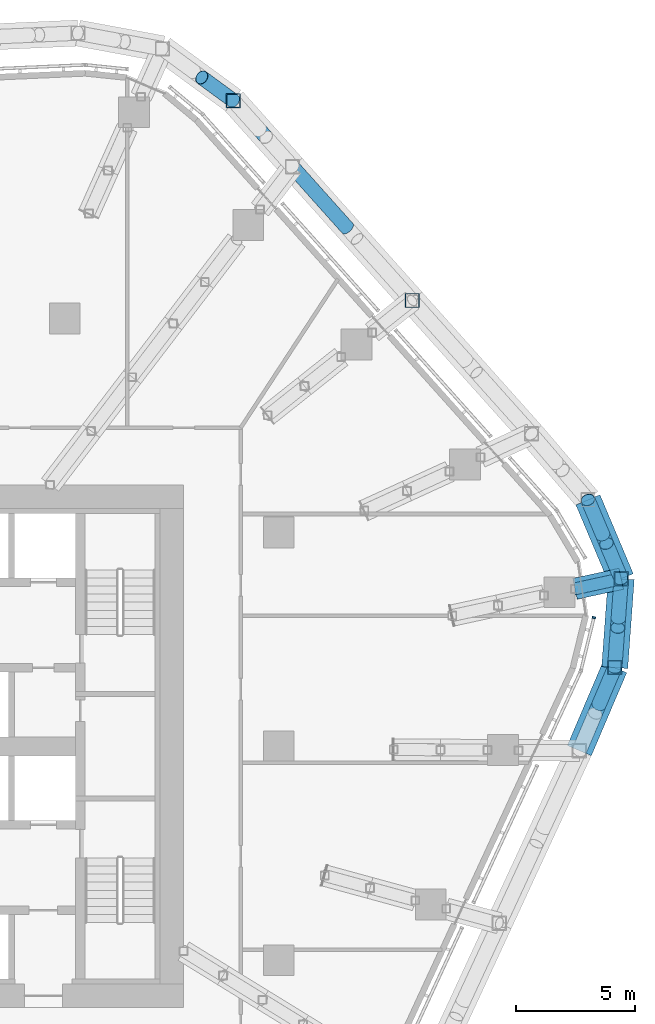
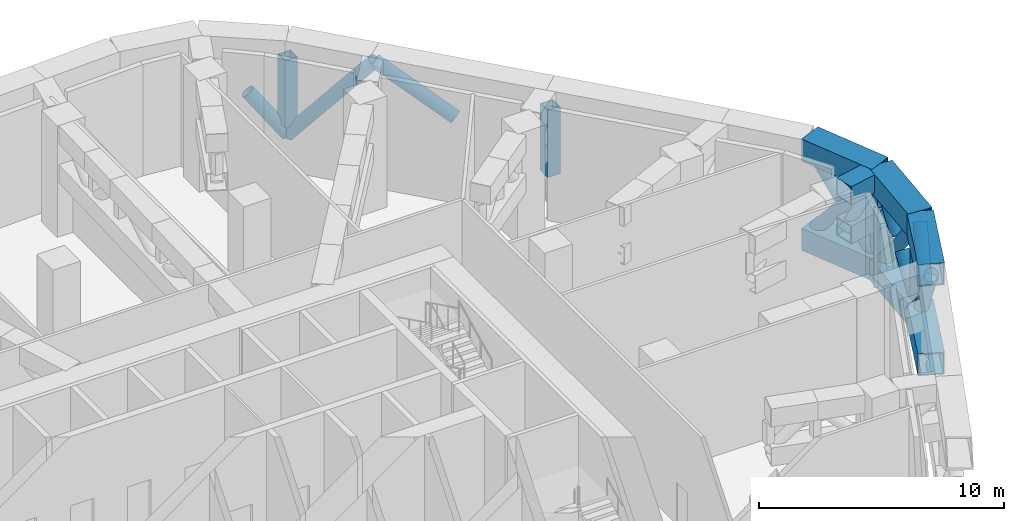
# One storey, part 14 of 30: 25 members, 1 element without a shape of its own.
"""IFC4 building model written with IfcOpenShell, lengths in metres."""

from ifc_helpers import new_model, si_unit, direction, frame, origin, origin_2d, place, context, subcontext, project, spatial, rectangle, hollow_rectangle, hollow_circle, extrude, material, layer, layer_set, material_profile, profile_set, type_object, element, aggregate, save


model = new_model("IFC4")

# Units and contexts
model_context = context("Model", 3, precision=1e-05, world=origin(), true_north=direction((0.0, 1.0)))
body_context = subcontext(model_context, "Body", "Model", "MODEL_VIEW")
ifc_project = project(units=[si_unit("LENGTHUNIT", "METRE"), si_unit("AREAUNIT", "SQUARE_METRE"), si_unit("VOLUMEUNIT", "CUBIC_METRE"), si_unit("PLANEANGLEUNIT", "RADIAN"), si_unit("MASSUNIT", "GRAM", prefix="KILO")], contexts=[model_context])

# Site, building, storey
site_placement = place(None, origin())
site = spatial("IfcSite", under=ifc_project, at=site_placement, CompositionType="ELEMENT")
building_placement = place(site_placement, origin())
building = spatial("IfcBuilding", under=site, at=building_placement, Name="Dongbaek Canopy Tower", CompositionType="ELEMENT")
storey_placement = place(building_placement, frame((0.0, 0.0, 145.60009765625)))
storey = spatial("IfcBuildingStorey", under=building, at=storey_placement, Name="L32", CompositionType="ELEMENT", Elevation=145.60009765625)

# Members
ifc_material_1 = material(Name="Steel S355", Category="steel")
ifc_material_profile_1 = material_profile(ifc_material_1, hollow_circle(Radius=0.304931640625, WallThickness=0.01611328125, at=origin_2d()), Name="BELT BRACE CHS 610.0x16.0 Steel S355")
ifc_profile_set_1 = profile_set([ifc_material_profile_1], Name="Steel S355")
member_type_1 = type_object("IfcMemberType", Name="BELT BRACE CHS 610.0x16.0 Steel S355", PredefinedType="BRACE", material=ifc_profile_set_1)
member_1_placement = place(storey_placement, frame((16.090576171875, 27.162353515625, 0.5498046875), z_axis=(-0.51530976247, 0.377427282441, 0.769418283622), x_axis=(-0.590888586046, -0.806753170976, 0.0)))
element("IfcMember", 1, at=member_1_placement, inside=storey, type_object=member_type_1, Name="BELT:L32:17:D0:1", PredefinedType="BRACE", context=body_context, shape_type="SweptSolid", body=[
    extrude(hollow_circle(Radius=0.304931640625, WallThickness=0.01611328125, at=origin_2d()), origin(), (0.0, 0.0, 1.0), 2.58154296875),
])
member_2_placement = place(storey_placement, frame((16.090576171875, 27.162353515625, 0.5498046875), z_axis=(0.428596612816, -0.479108734456, 0.766002456948), x_axis=(0.745302860329, 0.666726065476, 0.0)))
element("IfcMember", 2, at=member_2_placement, inside=storey, type_object=member_type_1, Name="BELT:L32:17:D1:0", PredefinedType="BRACE", context=body_context, shape_type="SweptSolid", body=[
    extrude(hollow_circle(Radius=0.304931640625, WallThickness=0.01611328125, at=origin_2d()), origin(), (0.0, 0.0, 1.0), 5.8095703125),
])
member_3_placement = place(storey_placement, frame((18.58056640625, 24.37890625, 5.0), z_axis=(0.574357101591, -0.642088748412, -0.507775500606), x_axis=(0.745323999067, 0.666702434685, 0.0)))
element("IfcMember", 3, at=member_3_placement, inside=storey, type_object=member_type_1, Name="BELT:L32:18:D0:2", PredefinedType="BRACE", context=body_context, shape_type="SweptSolid", body=[
    extrude(hollow_circle(Radius=0.304931640625, WallThickness=0.01611328125, at=origin_2d()), origin(), (0.0, 0.0, 1.0), 4.033447265625),
])
member_4_placement = place(storey_placement, frame((31.007568359375, 10.367919921875, 0.5498046875), z_axis=(0.244739072015, -0.579896463441, 0.77706040841), x_axis=(0.921309955214, 0.388828968087, 0.0)))
element("IfcMember", 4, at=member_4_placement, inside=storey, type_object=member_type_1, Name="BELT:L32:20:D1:0", PredefinedType="BRACE", context=body_context, shape_type="SweptSolid", body=[
    extrude(hollow_circle(Radius=0.304931640625, WallThickness=0.01611328125, at=origin_2d()), origin(), (0.0, 0.0, 1.0), 5.72705078125),
])
for number, where, z_axis, x_axis, name in (
    (5, (32.4091796875, 7.046875, 0.5498046875), (-0.244735984204, 0.579884597442, 0.777070236005), (-0.921308862379, -0.388831557493, 0.0), "BELT:L32:20:D1:1"),
    (6, (31.007568359375, 10.367919921875, 5.0), (0.244735984204, -0.579884597442, -0.777070236005), (0.921308862379, 0.388831557493, 0.0), "BELT:L32:20:D1:2"),
):
    element("IfcMember", number, at=place(storey_placement, frame(where, z_axis=z_axis, x_axis=x_axis)), inside=storey, type_object=member_type_1, Name=name, PredefinedType="BRACE", context=body_context, shape_type="SweptSolid", body=[
        extrude(hollow_circle(Radius=0.304931640625, WallThickness=0.01611328125, at=origin_2d()), origin(), (0.0, 0.0, 1.0), 2.5517578125),
    ])
member_5_placement = place(storey_placement, frame((32.4091796875, 7.046875, 0.5498046875), z_axis=(-0.047049874718, -0.642245479876, 0.765053627446), x_axis=(0.997327356436, -0.07306260401, 0.0)))
element("IfcMember", 7, at=member_5_placement, inside=storey, type_object=member_type_1, Name="BELT:L32:21:D0:0", PredefinedType="BRACE", context=body_context, shape_type="SweptSolid", body=[
    extrude(hollow_circle(Radius=0.304931640625, WallThickness=0.01611328125, at=origin_2d()), origin(), (0.0, 0.0, 1.0), 5.81689453125),
])
for number, where, z_axis, x_axis, name in (
    (8, (32.135498046875, 3.31103515625, 0.5498046875), (0.047063460456, 0.642261235803, 0.765039564777), (-0.997325949617, 0.073081804996, 0.0), "BELT:L32:21:D0:1"),
    (9, (32.4091796875, 7.046875, 5.0), (-0.047063460456, -0.642261235803, -0.765039564777), (0.997325949617, -0.073081804996, 0.0), "BELT:L32:21:D0:2"),
):
    element("IfcMember", number, at=place(storey_placement, frame(where, z_axis=z_axis, x_axis=x_axis)), inside=storey, type_object=member_type_1, Name=name, PredefinedType="BRACE", context=body_context, shape_type="SweptSolid", body=[
        extrude(hollow_circle(Radius=0.304931640625, WallThickness=0.01611328125, at=origin_2d()), origin(), (0.0, 0.0, 1.0), 2.598876953125),
    ])
member_6_placement = place(storey_placement, frame((32.135498046875, 3.31103515625, 0.5498046875), z_axis=(-0.254510117447, -0.59734776254, 0.760526298497), x_axis=(0.919977210754, -0.391971850639, 0.0)))
element("IfcMember", 10, at=member_6_placement, inside=storey, type_object=member_type_1, Name="BELT:L32:21:D1:0", PredefinedType="BRACE", context=body_context, shape_type="SweptSolid", body=[
    extrude(hollow_circle(Radius=0.304931640625, WallThickness=0.01611328125, at=origin_2d()), origin(), (0.0, 0.0, 1.0), 5.8515625),
])
member_7_placement = place(storey_placement, frame((32.135498046875, 3.31103515625, 5.0), z_axis=(-0.254502974163, -0.597354304826, -0.760523550358), x_axis=(0.91998272586, -0.391958906161, 0.0)))
element("IfcMember", 11, at=member_7_placement, inside=storey, type_object=member_type_1, Name="BELT:L32:21:D1:2", PredefinedType="BRACE", context=body_context, shape_type="SweptSolid", body=[
    extrude(hollow_circle(Radius=0.304931640625, WallThickness=0.01611328125, at=origin_2d()), origin(), (0.0, 0.0, 1.0), 2.616943359375),
])
ifc_material_2 = material(Name="Steel S355", Category="steel")
ifc_material_profile_2 = material_profile(ifc_material_2, hollow_rectangle(XDim=1.10009765625, YDim=1.10009765625, WallThickness=0.054931640625, at=origin_2d()), Name="BELT CHORD BOX 1100x1100x55 Steel S355")
ifc_profile_set_2 = profile_set([ifc_material_profile_2], Name="Steel S355")
member_type_2 = type_object("IfcMemberType", Name="BELT CHORD BOX 1100x1100x55 Steel S355", PredefinedType="CHORD", material=ifc_profile_set_2)
for number, where, z_axis, x_axis, name in (
    (12, (31.007568359375, 10.367919921875, 0.5498046875), (0.388828968087, -0.921309955214, 0.0), (0.921309955214, 0.388828968087, 0.0), "BELT:L32:20:CB1"),
    (13, (31.007568359375, 10.367919921875, 5.0), (0.388828968087, -0.921309955214, 0.0), (0.921309955214, 0.388828968087, 0.0), "BELT:L32:20:CT1"),
):
    element("IfcMember", number, at=place(storey_placement, frame(where, z_axis=z_axis, x_axis=x_axis)), inside=storey, type_object=member_type_2, Name=name, PredefinedType="CHORD", context=body_context, shape_type="SweptSolid", body=[
        extrude(hollow_rectangle(XDim=1.10009765625, YDim=1.10009765625, WallThickness=0.054931640625, at=origin_2d()), origin(), (0.0, 0.0, 1.0), 3.604736328125),
    ])
for number, where, z_axis, x_axis, name in (
    (14, (32.4091796875, 7.046875, 0.5498046875), (-0.07306260401, -0.997327356436, 0.0), (0.997327356436, -0.07306260401, 0.0), "BELT:L32:21:CB0"),
    (15, (32.4091796875, 7.046875, 5.0), (-0.07306260401, -0.997327356436, 0.0), (0.997327356436, -0.07306260401, 0.0), "BELT:L32:21:CT0"),
):
    element("IfcMember", number, at=place(storey_placement, frame(where, z_axis=z_axis, x_axis=x_axis)), inside=storey, type_object=member_type_2, Name=name, PredefinedType="CHORD", context=body_context, shape_type="SweptSolid", body=[
        extrude(hollow_rectangle(XDim=1.10009765625, YDim=1.10009765625, WallThickness=0.054931640625, at=origin_2d()), origin(), (0.0, 0.0, 1.0), 3.745849609375),
    ])
for number, where, z_axis, x_axis, name in (
    (16, (32.135498046875, 3.31103515625, 0.5498046875), (-0.391971850639, -0.919977210754, 0.0), (0.919977210754, -0.391971850639, 0.0), "BELT:L32:21:CB1"),
    (17, (32.135498046875, 3.31103515625, 5.0), (-0.391971850639, -0.919977210754, 0.0), (0.919977210754, -0.391971850639, 0.0), "BELT:L32:21:CT1"),
):
    element("IfcMember", number, at=place(storey_placement, frame(where, z_axis=z_axis, x_axis=x_axis)), inside=storey, type_object=member_type_2, Name=name, PredefinedType="CHORD", context=body_context, shape_type="SweptSolid", body=[
        extrude(hollow_rectangle(XDim=1.10009765625, YDim=1.10009765625, WallThickness=0.054931640625, at=origin_2d()), origin(), (0.0, 0.0, 1.0), 3.79931640625),
    ])
ifc_material_3 = material(Name="Steel S355", Category="steel")
ifc_material_profile_3 = material_profile(ifc_material_3, hollow_rectangle(XDim=0.60009765625, YDim=0.60009765625, WallThickness=0.031982421875, at=origin_2d()), Name="BELT POST BOX 600x600x32 Steel S355")
ifc_profile_set_3 = profile_set([ifc_material_profile_3], Name="Steel S355")
member_type_3 = type_object("IfcMemberType", Name="BELT POST BOX 600x600x32 Steel S355", PredefinedType="POST", material=ifc_profile_set_3)
for number, where, z_axis, x_axis, name in (
    (18, (16.090576171875, 27.162353515625, 1.099853515625), (0.0, 0.0, 1.0), (1.0, 0.0, 0.0), "BELT:L32:17:P1"),
    (19, (23.6142578125, 18.751708984375, 1.099853515625), (0.0, 0.0, 1.0), (1.0, 0.0, 0.0), "BELT:L32:19:P0"),
    (20, (32.4091796875, 7.046875, 1.099853515625), (0.0, 0.0, 1.0), (1.0, 0.0, 0.0), "BELT:L32:21:P0"),
    (21, (32.135498046875, 3.31103515625, 1.099853515625), (0.0, 0.0, 1.0), (1.0, 0.0, 0.0), "BELT:L32:21:P1"),
):
    element("IfcMember", number, at=place(storey_placement, frame(where, z_axis=z_axis, x_axis=x_axis)), inside=storey, type_object=member_type_3, Name=name, PredefinedType="POST", context=body_context, shape_type="SweptSolid", body=[
        extrude(hollow_rectangle(XDim=0.60009765625, YDim=0.60009765625, WallThickness=0.031982421875, at=origin_2d()), origin(), (0.0, 0.0, 1.0), 3.35009765625),
    ])
ifc_material_4 = material(Name="Steel S355", Category="steel")
ifc_material_profile_4 = material_profile(ifc_material_4, hollow_circle(Radius=0.25390625, WallThickness=0.01611328125, at=origin_2d()), Name="BRACE CHS 508.0x16.0 Steel S355")
ifc_profile_set_4 = profile_set([ifc_material_profile_4], Name="Steel S355")
member_type_4 = type_object("IfcMemberType", Name="BRACE CHS 508.0x16.0 Steel S355", PredefinedType="BRACE", material=ifc_profile_set_4)
member_8_placement = place(storey_placement, frame((30.4609375, 6.623291015625, 3.14990234375), z_axis=(0.698596278154, 0.151887787293, 0.699209081907), x_axis=(-0.212455063097, 0.977170837758, 0.0)))
element("IfcMember", 22, at=member_8_placement, inside=storey, type_object=member_type_4, Name="TRUSS:L32:21x:D0", PredefinedType="BRACE", context=body_context, shape_type="SweptSolid", body=[
    extrude(hollow_circle(Radius=0.25390625, WallThickness=0.01611328125, at=origin_2d()), origin(), (0.0, 0.0, 1.0), 2.788818359375),
])
ifc_material_5 = material(Name="Steel S355", Category="steel")
ifc_material_profile_5 = material_profile(ifc_material_5, hollow_rectangle(XDim=0.89990234375, YDim=0.89990234375, WallThickness=0.044921875, at=origin_2d()), Name="CHORD BOX 900x900x45 Steel S355")
ifc_profile_set_5 = profile_set([ifc_material_profile_5], Name="Steel S355")
member_type_5 = type_object("IfcMemberType", Name="CHORD BOX 900x900x45 Steel S355", PredefinedType="CHORD", material=ifc_profile_set_5)
for number, where, z_axis, x_axis, name in (
    (23, (30.4609375, 6.623291015625, 3.14990234375), (0.977170837758, 0.212455063097, 0.0), (-0.212455063097, 0.977170837758, 0.0), "TRUSS:L32:21x:CB"),
    (24, (30.4609375, 6.623291015625, 5.099853515625), (0.977170837758, 0.212455063097, 0.0), (-0.212455063097, 0.977170837758, 0.0), "TRUSS:L32:21x:CT0"),
):
    element("IfcMember", number, at=place(storey_placement, frame(where, z_axis=z_axis, x_axis=x_axis)), inside=storey, type_object=member_type_5, Name=name, PredefinedType="CHORD", context=body_context, shape_type="SweptSolid", body=[
        extrude(hollow_rectangle(XDim=0.89990234375, YDim=0.89990234375, WallThickness=0.044921875, at=origin_2d()), origin(), (0.0, 0.0, 1.0), 1.99365234375),
    ])

# Curtain wall, member
ifc_material_6 = material(Name="Aluminium 6063-T6 pale anodised", Category="aluminium")
ifc_layer = layer(ifc_material_6, 0.14990234375)
ifc_layer_set = layer_set([ifc_layer], Name="CW-7 louvre curtain wall")
curtain_wall_type = type_object("IfcCurtainWallType", Name="CW-7 louvre curtain wall", PredefinedType="NOTDEFINED", material=ifc_layer_set)
curtain_wall_placement = place(storey_placement, origin())
curtain_wall = element("IfcCurtainWall", 25, at=curtain_wall_placement, inside=storey, type_object=curtain_wall_type, Name="CW-7 louvre wall L32 K0", PredefinedType="NOTDEFINED")
ifc_material_7 = material(Name="Aluminium 6063-T6 pale anodised", Category="aluminium")
ifc_material_profile_6 = material_profile(ifc_material_7, rectangle(XDim=0.14990234375, YDim=0.080078125, at=origin_2d()), Name="CW-7 mullion 80 x 150")
ifc_profile_set_6 = profile_set([ifc_material_profile_6], Name="Aluminium 6063-T6 pale anodised")
member_type_6 = type_object("IfcMemberType", Name="CW-7 mullion 80 x 150", PredefinedType="MULLION", material=ifc_profile_set_6)
member_9_placement = place(storey_placement, frame((31.260986328125, 5.4169921875, 0.77490234375), z_axis=(0.0, 0.0, 1.0), x_axis=(0.971366661687, -0.237585371105, 0.0)))
member_9 = element("IfcMember", 26, at=member_9_placement, type_object=member_type_6, Name="CW-7 mullion L32 K0.1.2", PredefinedType="MULLION", context=body_context, shape_type="SweptSolid", body=[
    extrude(rectangle(XDim=0.14990234375, YDim=0.080078125, at=origin_2d()), origin(), (0.0, 0.0, 1.0), 4.0),
])
aggregate(curtain_wall, [member_9])

save(model, "model.ifc")
